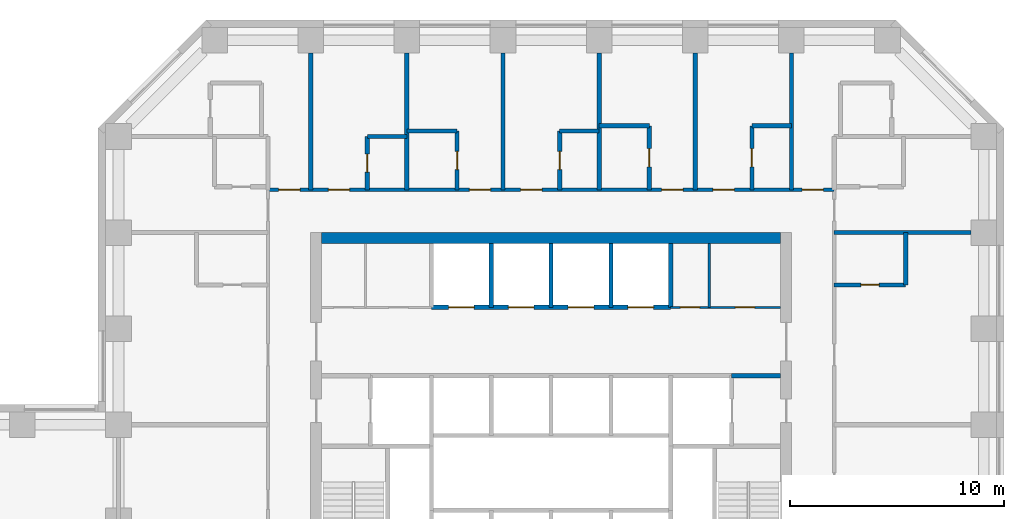
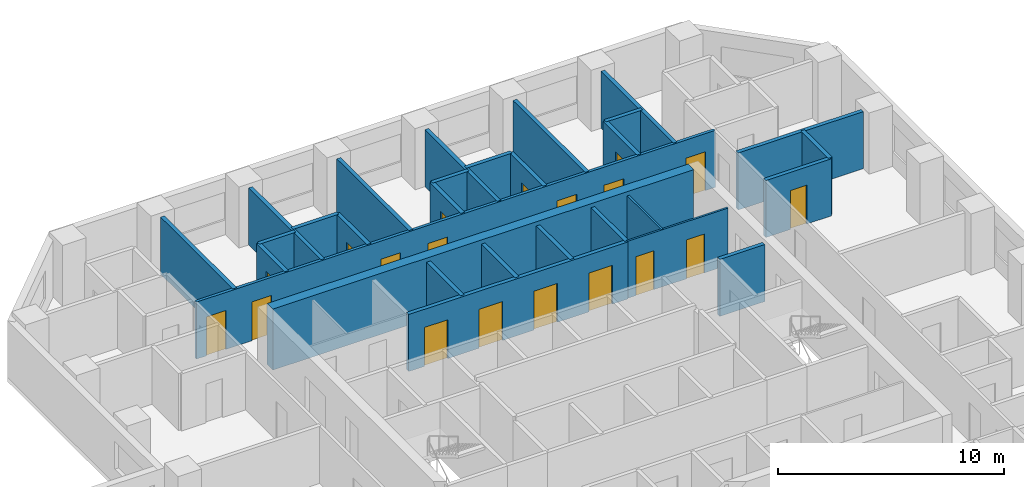
# One storey, part 9 of 12: 29 walls, 19 doors, 19 openings.
"""IFC4 building model written with IfcOpenShell, lengths in metres."""

from ifc_helpers import new_model, si_unit, direction, frame, frame_2d, origin, place, context, subcontext, project, spatial, rectangle, extrude, material, layer, layer_set, type_object, element, fill, save


model = new_model("IFC4")

# Units and contexts
model_context = context("Model", 3, precision=1e-05, world=origin(), true_north=direction((0.0, 1.0)))
body_context = subcontext(model_context, "Body", "Model", "MODEL_VIEW")
ifc_project = project(units=[si_unit("LENGTHUNIT", "METRE"), si_unit("AREAUNIT", "SQUARE_METRE"), si_unit("VOLUMEUNIT", "CUBIC_METRE"), si_unit("PLANEANGLEUNIT", "RADIAN"), si_unit("MASSUNIT", "GRAM", prefix="KILO")], contexts=[model_context])

# Site, building, storey
site_placement = place(None, origin())
site = spatial("IfcSite", under=ifc_project, at=site_placement, CompositionType="ELEMENT")
building_placement = place(site_placement, origin())
building = spatial("IfcBuilding", under=site, at=building_placement, Name="Quoin Convention Tower", CompositionType="ELEMENT")
storey_placement = place(building_placement, frame((0.0, 0.0, 33.0)))
storey = spatial("IfcBuildingStorey", under=building, at=storey_placement, Name="L07", CompositionType="ELEMENT", Elevation=33.0)

# Wall, openings, doors
ifc_material_1 = material(Name="Plasterboard")
ifc_layer_1 = layer(ifc_material_1, 0.012451171875, Name="Finish")
ifc_material_2 = material(Name="Steel stud framing", Category="steel")
ifc_layer_2 = layer(ifc_material_2, 0.074951171875, Name="Structure")
ifc_layer_3 = layer(ifc_material_1, 0.012451171875, Name="Finish")
ifc_layer_set_1 = layer_set([ifc_layer_1, ifc_layer_2, ifc_layer_3], Name="Steel stud framing")
wall_type_1 = type_object("IfcWallType", Name="Core partition wall", PredefinedType="PARTITIONING", material=ifc_layer_set_1)
wall_1_placement = place(storey_placement, frame((61.85009765625, 68.5, 0.0), z_axis=(0.0, 0.0, 1.0), x_axis=(1.0, 0.0, 0.0)))
wall_1 = element("IfcWall", 1, at=wall_1_placement, inside=storey, type_object=wall_type_1, Name="cr-C1-L07-h19000_16850", PredefinedType="PARTITIONING", context=body_context, shape_type="SweptSolid", body=[
    extrude(rectangle(XDim=5.14990234375, YDim=0.10009765625, at=frame_2d((2.574951171875, 0.0))), origin(), (0.0, 0.0, 1.0), 3.080078125),
])
opening_1_placement = place(wall_1_placement, frame((3.0263671875, 0.0, 0.0)))
opening_1 = element("IfcOpeningElement", 2, at=opening_1_placement, cuts=wall_1, Name="Opening DCV3-03", PredefinedType="OPENING", context=body_context, shape_type="SweptSolid", body=[
    extrude(rectangle(XDim=0.89990234375, YDim=2.10009765625, at=frame_2d((0.449951171875, 1.050048828125))), frame((0.0, 0.06005859375, 0.0), z_axis=(0.0, -1.0, 0.0), x_axis=(1.0, 0.0, 0.0)), (0.0, 0.0, 1.0), 0.1201171875),
])
opening_2_placement = place(wall_1_placement, frame((0.451171875, 0.0, 0.0)))
opening_2 = element("IfcOpeningElement", 3, at=opening_2_placement, cuts=wall_1, Name="Opening DCV3-01", PredefinedType="OPENING", context=body_context, shape_type="SweptSolid", body=[
    extrude(rectangle(XDim=0.89990234375, YDim=2.10009765625, at=frame_2d((0.449951171875, 1.050048828125))), frame((0.0, 0.06005859375, 0.0), z_axis=(0.0, -1.0, 0.0), x_axis=(1.0, 0.0, 0.0)), (0.0, 0.0, 1.0), 0.1201171875),
])
ifc_material_3 = material(Name="Steel door leaf", Category="steel")
door_type_1 = type_object("IfcDoorType", Name="Core room door 900 x 2100", OperationType="SINGLE_SWING_LEFT", PredefinedType="DOOR", material=ifc_material_3)
door_1_placement = place(opening_1_placement, origin())
door_1 = element("IfcDoor", 4, at=door_1_placement, inside=storey, type_object=door_type_1, Name="cd-C1-L07-CNE0-lobB-CD0707", OperationType="SINGLE_SWING_RIGHT", OverallHeight=2.10009765625, OverallWidth=0.89990234375, PredefinedType="DOOR", context=body_context, shape_type="SweptSolid", body=[
    extrude(rectangle(XDim=0.89990234375, YDim=2.10009765625, at=frame_2d((0.449951171875, 1.050048828125))), frame((0.0, 0.02490234375, 0.0), z_axis=(0.0, -1.0, 0.0), x_axis=(1.0, 0.0, 0.0)), (0.0, 0.0, 1.0), 0.050048828125),
])
fill(opening_1, door_1)
door_2_placement = place(opening_2_placement, origin())
door_2 = element("IfcDoor", 5, at=door_2_placement, inside=storey, type_object=door_type_1, Name="cd-C1-L07-CNE1-lobB-CD0708", OperationType="SINGLE_SWING_LEFT", OverallHeight=2.10009765625, OverallWidth=0.89990234375, PredefinedType="DOOR", context=body_context, shape_type="SweptSolid", body=[
    extrude(rectangle(XDim=0.89990234375, YDim=2.10009765625, at=frame_2d((0.449951171875, 1.050048828125))), frame((0.0, 0.02490234375, 0.0), z_axis=(0.0, -1.0, 0.0), x_axis=(1.0, 0.0, 0.0)), (0.0, 0.0, 1.0), 0.050048828125),
])
fill(opening_2, door_2)

# Walls
wall_2_placement = place(storey_placement, frame((63.652587890625, 68.5, 0.0), z_axis=(0.0, 0.0, 1.0), x_axis=(0.0, 1.0, 0.0)))
element("IfcWall", 6, at=wall_2_placement, inside=storey, type_object=wall_type_1, Name="cr-C1-L07-v18652_19000", PredefinedType="PARTITIONING", context=body_context, shape_type="SweptSolid", body=[
    extrude(rectangle(XDim=3.0, YDim=0.10009765625, at=frame_2d((1.5, 0.0))), origin(), (0.0, 0.0, 1.0), 3.080078125),
])
ifc_material_4 = material(Name="Concrete C50", Category="concrete")
ifc_layer_4 = layer(ifc_material_4, 0.199951171875)
ifc_layer_set_2 = layer_set([ifc_layer_4], Name="Concrete C50")
wall_type_2 = type_object("IfcWallType", Name="Core shaft wall", PredefinedType="SOLIDWALL", material=ifc_layer_set_2)
wall_3_placement = place(storey_placement, frame((64.699951171875, 65.300048828125, 0.0), z_axis=(0.0, 0.0, 1.0), x_axis=(1.0, 0.0, 0.0)))
element("IfcWall", 7, at=wall_3_placement, inside=storey, type_object=wall_type_2, Name="cr-C1-L07-h15800_19700", PredefinedType="SOLIDWALL", context=body_context, shape_type="SweptSolid", body=[
    extrude(rectangle(XDim=2.300048828125, YDim=0.199951171875, at=frame_2d((1.14990234375, 0.0))), origin(), (0.0, 0.0, 1.0), 3.080078125),
])

# Wall, openings, doors
wall_4_placement = place(storey_placement, frame((50.64990234375, 68.5, 0.0), z_axis=(0.0, 0.0, 1.0), x_axis=(1.0, 0.0, 0.0)))
wall_4 = element("IfcWall", 8, at=wall_4_placement, inside=storey, type_object=wall_type_2, Name="cr-C1-L07-h19000_5650", PredefinedType="SOLIDWALL", context=body_context, shape_type="SweptSolid", body=[
    extrude(rectangle(XDim=11.2001953125, YDim=0.199951171875, at=frame_2d((5.60009765625, 0.0))), origin(), (0.0, 0.0, 1.0), 3.080078125),
])
opening_3_placement = place(wall_4_placement, frame((0.800048828125, 0.0, 0.0)))
opening_3 = element("IfcOpeningElement", 9, at=opening_3_placement, cuts=wall_4, Name="Opening LDL5", PredefinedType="OPENING", context=body_context, shape_type="SweptSolid", body=[
    extrude(rectangle(XDim=1.199951171875, YDim=2.10009765625, at=frame_2d((0.60009765625, 1.050048828125))), frame((0.0, 0.10986328125, 0.0), z_axis=(0.0, -1.0, 0.0), x_axis=(1.0, 0.0, 0.0)), (0.0, 0.0, 1.0), 0.219970703125),
])
opening_4_placement = place(wall_4_placement, frame((3.60009765625, 0.0, 0.0)))
opening_4 = element("IfcOpeningElement", 10, at=opening_4_placement, cuts=wall_4, Name="Opening LDL6", PredefinedType="OPENING", context=body_context, shape_type="SweptSolid", body=[
    extrude(rectangle(XDim=1.199951171875, YDim=2.10009765625, at=frame_2d((0.60009765625, 1.050048828125))), frame((0.0, 0.10986328125, 0.0), z_axis=(0.0, -1.0, 0.0), x_axis=(1.0, 0.0, 0.0)), (0.0, 0.0, 1.0), 0.219970703125),
])
opening_5_placement = place(wall_4_placement, frame((6.39990234375, 0.0, 0.0)))
opening_5 = element("IfcOpeningElement", 11, at=opening_5_placement, cuts=wall_4, Name="Opening LDL7", PredefinedType="OPENING", context=body_context, shape_type="SweptSolid", body=[
    extrude(rectangle(XDim=1.199951171875, YDim=2.10009765625, at=frame_2d((0.60009765625, 1.050048828125))), frame((0.0, 0.10986328125, 0.0), z_axis=(0.0, -1.0, 0.0), x_axis=(1.0, 0.0, 0.0)), (0.0, 0.0, 1.0), 0.219970703125),
])
opening_6_placement = place(wall_4_placement, frame((9.199951171875, 0.0, 0.0)))
opening_6 = element("IfcOpeningElement", 12, at=opening_6_placement, cuts=wall_4, Name="Opening LDL8", PredefinedType="OPENING", context=body_context, shape_type="SweptSolid", body=[
    extrude(rectangle(XDim=1.199951171875, YDim=2.10009765625, at=frame_2d((0.60009765625, 1.050048828125))), frame((0.0, 0.10986328125, 0.0), z_axis=(0.0, -1.0, 0.0), x_axis=(1.0, 0.0, 0.0)), (0.0, 0.0, 1.0), 0.219970703125),
])
door_type_2 = type_object("IfcDoorType", Name="Lift landing door 1200 x 2100", OperationType="DOUBLE_DOOR_SLIDING", PredefinedType="DOOR", material=ifc_material_3)
door_3_placement = place(opening_3_placement, origin())
door_3 = element("IfcDoor", 13, at=door_3_placement, inside=storey, type_object=door_type_2, Name="cd-C1-L07-R40-lobB-LDL5", OperationType="DOUBLE_DOOR_SLIDING", OverallHeight=2.10009765625, OverallWidth=1.199951171875, PredefinedType="DOOR", context=body_context, shape_type="SweptSolid", body=[
    extrude(rectangle(XDim=1.199951171875, YDim=2.10009765625, at=frame_2d((0.60009765625, 1.050048828125))), frame((0.0, 0.02490234375, 0.0), z_axis=(0.0, -1.0, 0.0), x_axis=(1.0, 0.0, 0.0)), (0.0, 0.0, 1.0), 0.050048828125),
])
fill(opening_3, door_3)
door_4_placement = place(opening_4_placement, origin())
door_4 = element("IfcDoor", 14, at=door_4_placement, inside=storey, type_object=door_type_2, Name="cd-C1-L07-R41-lobB-LDL6", OperationType="DOUBLE_DOOR_SLIDING", OverallHeight=2.10009765625, OverallWidth=1.199951171875, PredefinedType="DOOR", context=body_context, shape_type="SweptSolid", body=[
    extrude(rectangle(XDim=1.199951171875, YDim=2.10009765625, at=frame_2d((0.60009765625, 1.050048828125))), frame((0.0, 0.02490234375, 0.0), z_axis=(0.0, -1.0, 0.0), x_axis=(1.0, 0.0, 0.0)), (0.0, 0.0, 1.0), 0.050048828125),
])
fill(opening_4, door_4)
door_5_placement = place(opening_5_placement, origin())
door_5 = element("IfcDoor", 15, at=door_5_placement, inside=storey, type_object=door_type_2, Name="cd-C1-L07-R42-lobB-LDL7", OperationType="DOUBLE_DOOR_SLIDING", OverallHeight=2.10009765625, OverallWidth=1.199951171875, PredefinedType="DOOR", context=body_context, shape_type="SweptSolid", body=[
    extrude(rectangle(XDim=1.199951171875, YDim=2.10009765625, at=frame_2d((0.60009765625, 1.050048828125))), frame((0.0, 0.02490234375, 0.0), z_axis=(0.0, -1.0, 0.0), x_axis=(1.0, 0.0, 0.0)), (0.0, 0.0, 1.0), 0.050048828125),
])
fill(opening_5, door_5)
door_6_placement = place(opening_6_placement, origin())
door_6 = element("IfcDoor", 16, at=door_6_placement, inside=storey, type_object=door_type_2, Name="cd-C1-L07-R43-lobB-LDL8", OperationType="DOUBLE_DOOR_SLIDING", OverallHeight=2.10009765625, OverallWidth=1.199951171875, PredefinedType="DOOR", context=body_context, shape_type="SweptSolid", body=[
    extrude(rectangle(XDim=1.199951171875, YDim=2.10009765625, at=frame_2d((0.60009765625, 1.050048828125))), frame((0.0, 0.02490234375, 0.0), z_axis=(0.0, -1.0, 0.0), x_axis=(1.0, 0.0, 0.0)), (0.0, 0.0, 1.0), 0.050048828125),
])
fill(opening_6, door_6)

# Walls
for number, where, z_axis, x_axis, name in (
    (17, (53.449951171875, 68.5, 0.0), (0.0, 0.0, 1.0), (0.0, 1.0, 0.0), "cr-C1-L07-v8450_19000"),
    (18, (56.25, 68.5, 0.0), (0.0, 0.0, 1.0), (0.0, 1.0, 0.0), "cr-C1-L07-v11250_19000"),
    (19, (59.050048828125, 68.5, 0.0), (0.0, 0.0, 1.0), (0.0, 1.0, 0.0), "cr-C1-L07-v14050_19000"),
    (20, (61.85009765625, 68.5, 0.0), (0.0, 0.0, 1.0), (0.0, 1.0, 0.0), "cr-C1-L07-v16850_19000"),
):
    element("IfcWall", number, at=place(storey_placement, frame(where, z_axis=z_axis, x_axis=x_axis)), inside=storey, type_object=wall_type_2, Name=name, PredefinedType="SOLIDWALL", context=body_context, shape_type="SweptSolid", body=[
        extrude(rectangle(XDim=3.0, YDim=0.199951171875, at=frame_2d((1.5, 0.0))), origin(), (0.0, 0.0, 1.0), 3.080078125),
    ])
ifc_material_5 = material(Name="Concrete C80", Category="concrete")
ifc_layer_5 = layer(ifc_material_5, 0.5)
ifc_layer_set_3 = layer_set([ifc_layer_5], Name="Concrete C80")
wall_type_3 = type_object("IfcWallType", Name="RC CORE WALL 500 C80", PredefinedType="SHEAR", material=ifc_layer_set_3)
wall_5_placement = place(storey_placement, frame((45.5, 71.75, 0.0), z_axis=(0.0, 0.0, 1.0), x_axis=(1.0, 0.0, 0.0)))
element("IfcWall", 21, at=wall_5_placement, inside=storey, type_object=wall_type_3, Name="cwl-C1-L07-N", PredefinedType="SHEAR", context=body_context, shape_type="SweptSolid", body=[
    extrude(rectangle(XDim=21.5, YDim=0.5, at=frame_2d((10.75, 0.0))), origin(), (0.0, 0.0, 1.0), 3.300048828125),
])

# Wall, opening, door
ifc_layer_6 = layer(ifc_material_4, 0.199951171875)
ifc_layer_set_4 = layer_set([ifc_layer_6], Name="Concrete C50")
wall_type_4 = type_object("IfcWallType", Name="RC party wall", PredefinedType="SOLIDWALL", material=ifc_layer_set_4)
wall_6_placement = place(storey_placement, frame((69.5, 69.550048828125, 0.0), z_axis=(0.0, 0.0, 1.0), x_axis=(1.0, 0.0, 0.0)))
wall_6 = element("IfcWall", 22, at=wall_6_placement, inside=storey, type_object=wall_type_4, Name="pw-L07-116", PredefinedType="SOLIDWALL", context=body_context, shape_type="SweptSolid", body=[
    extrude(rectangle(XDim=3.35009765625, YDim=0.199951171875, at=frame_2d((1.675048828125, 0.0))), origin(), (0.0, 0.0, 1.0), 3.080078125),
])
opening_7_placement = place(wall_6_placement, frame((1.25, 0.0, 0.0)))
opening_7 = element("IfcOpeningElement", 23, at=opening_7_placement, cuts=wall_6, Name="Opening DHOTEL-C-64", PredefinedType="OPENING", context=body_context, shape_type="SweptSolid", body=[
    extrude(rectangle(XDim=0.85009765625, YDim=2.10009765625, at=frame_2d((0.425048828125, 1.050048828125))), frame((0.0, 0.10986328125, 0.0), z_axis=(0.0, -1.0, 0.0), x_axis=(1.0, 0.0, 0.0)), (0.0, 0.0, 1.0), 0.219970703125),
])
door_type_3 = type_object("IfcDoorType", Name="Bathroom door", OperationType="SINGLE_SWING_LEFT", PredefinedType="DOOR", material=ifc_material_3)
door_7_placement = place(opening_7_placement, frame((0.85009765625, 0.0, 0.0), z_axis=(0.0, 0.0, 1.0), x_axis=(-1.0, 0.0, 0.0)))
door_7 = element("IfcDoor", 24, at=door_7_placement, inside=storey, type_object=door_type_3, Name="dr-L07-050", OperationType="SINGLE_SWING_RIGHT", OverallHeight=2.10009765625, OverallWidth=0.85009765625, PredefinedType="DOOR", context=body_context, shape_type="SweptSolid", body=[
    extrude(rectangle(XDim=0.85009765625, YDim=2.10009765625, at=frame_2d((0.425048828125, 1.050048828125))), frame((0.0, 0.02490234375, 0.0), z_axis=(0.0, -1.0, 0.0), x_axis=(1.0, 0.0, 0.0)), (0.0, 0.0, 1.0), 0.050048828125),
])
fill(opening_7, door_7)

# Walls
wall_7_placement = place(storey_placement, frame((72.85009765625, 69.550048828125, 0.0), z_axis=(0.0, 0.0, 1.0), x_axis=(0.0, 1.0, 0.0)))
element("IfcWall", 25, at=wall_7_placement, inside=storey, type_object=wall_type_4, Name="pw-L07-117", PredefinedType="SOLIDWALL", context=body_context, shape_type="SweptSolid", body=[
    extrude(rectangle(XDim=2.449951171875, YDim=0.199951171875, at=frame_2d((1.22509765625, 0.0))), origin(), (0.0, 0.0, 1.0), 3.080078125),
])
for number, where, z_axis, x_axis, name in (
    (26, (69.5, 72.0, 0.0), (0.0, 0.0, 1.0), (1.0, 0.0, 0.0), "pw-L07-119"),
    (27, (45.0, 74.0, 0.0), (0.0, 0.0, 1.0), (0.0, 1.0, 0.0), "pw-L07-121"),
):
    element("IfcWall", number, at=place(storey_placement, frame(where, z_axis=z_axis, x_axis=x_axis)), inside=storey, type_object=wall_type_4, Name=name, PredefinedType="SOLIDWALL", context=body_context, shape_type="SweptSolid", body=[
        extrude(rectangle(XDim=6.39990234375, YDim=0.199951171875, at=frame_2d((3.199951171875, 0.0))), origin(), (0.0, 0.0, 1.0), 3.080078125),
    ])

# Wall, opening, door
wall_8_placement = place(storey_placement, frame((47.64990234375, 74.0, 0.0), z_axis=(0.0, 0.0, 1.0), x_axis=(0.0, 1.0, 0.0)))
wall_8 = element("IfcWall", 28, at=wall_8_placement, inside=storey, type_object=wall_type_4, Name="pw-L07-122", PredefinedType="SOLIDWALL", context=body_context, shape_type="SweptSolid", body=[
    extrude(rectangle(XDim=2.5, YDim=0.199951171875, at=frame_2d((1.25, 0.0))), origin(), (0.0, 0.0, 1.0), 3.080078125),
])
opening_8_placement = place(wall_8_placement, frame((0.824951171875, 0.0, 0.0)))
opening_8 = element("IfcOpeningElement", 29, at=opening_8_placement, cuts=wall_8, Name="Opening DHOTEL-C-65", PredefinedType="OPENING", context=body_context, shape_type="SweptSolid", body=[
    extrude(rectangle(XDim=0.85009765625, YDim=2.10009765625, at=frame_2d((0.425048828125, 1.050048828125))), frame((0.0, 0.10986328125, 0.0), z_axis=(0.0, -1.0, 0.0), x_axis=(1.0, 0.0, 0.0)), (0.0, 0.0, 1.0), 0.219970703125),
])
door_8_placement = place(opening_8_placement, origin())
door_8 = element("IfcDoor", 30, at=door_8_placement, inside=storey, type_object=door_type_3, Name="dr-L07-038", OperationType="SINGLE_SWING_LEFT", OverallHeight=2.10009765625, OverallWidth=0.85009765625, PredefinedType="DOOR", context=body_context, shape_type="SweptSolid", body=[
    extrude(rectangle(XDim=0.85009765625, YDim=2.10009765625, at=frame_2d((0.425048828125, 1.050048828125))), frame((0.0, 0.02490234375, 0.0), z_axis=(0.0, -1.0, 0.0), x_axis=(1.0, 0.0, 0.0)), (0.0, 0.0, 1.0), 0.050048828125),
])
fill(opening_8, door_8)

# Wall
wall_9_placement = place(storey_placement, frame((49.5, 74.0, 0.0), z_axis=(0.0, 0.0, 1.0), x_axis=(0.0, 1.0, 0.0)))
element("IfcWall", 31, at=wall_9_placement, inside=storey, type_object=wall_type_4, Name="pw-L07-123", PredefinedType="SOLIDWALL", context=body_context, shape_type="SweptSolid", body=[
    extrude(rectangle(XDim=6.39990234375, YDim=0.199951171875, at=frame_2d((3.199951171875, 0.0))), origin(), (0.0, 0.0, 1.0), 3.080078125),
])

# Wall, opening, door
wall_10_placement = place(storey_placement, frame((51.85009765625, 74.0, 0.0), z_axis=(0.0, 0.0, 1.0), x_axis=(0.0, 1.0, 0.0)))
wall_10 = element("IfcWall", 32, at=wall_10_placement, inside=storey, type_object=wall_type_4, Name="pw-L07-124", PredefinedType="SOLIDWALL", context=body_context, shape_type="SweptSolid", body=[
    extrude(rectangle(XDim=2.75, YDim=0.199951171875, at=frame_2d((1.375, 0.0))), origin(), (0.0, 0.0, 1.0), 3.080078125),
])
opening_9_placement = place(wall_10_placement, frame((0.949951171875, 0.0, 0.0)))
opening_9 = element("IfcOpeningElement", 33, at=opening_9_placement, cuts=wall_10, Name="Opening DHOTEL-C-66", PredefinedType="OPENING", context=body_context, shape_type="SweptSolid", body=[
    extrude(rectangle(XDim=0.85009765625, YDim=2.10009765625, at=frame_2d((0.425048828125, 1.050048828125))), frame((0.0, 0.10986328125, 0.0), z_axis=(0.0, -1.0, 0.0), x_axis=(1.0, 0.0, 0.0)), (0.0, 0.0, 1.0), 0.219970703125),
])
door_9_placement = place(opening_9_placement, frame((0.85009765625, 0.0, 0.0), z_axis=(0.0, 0.0, 1.0), x_axis=(-1.0, 0.0, 0.0)))
door_9 = element("IfcDoor", 34, at=door_9_placement, inside=storey, type_object=door_type_3, Name="dr-L07-040", OperationType="SINGLE_SWING_RIGHT", OverallHeight=2.10009765625, OverallWidth=0.85009765625, PredefinedType="DOOR", context=body_context, shape_type="SweptSolid", body=[
    extrude(rectangle(XDim=0.85009765625, YDim=2.10009765625, at=frame_2d((0.425048828125, 1.050048828125))), frame((0.0, 0.02490234375, 0.0), z_axis=(0.0, -1.0, 0.0), x_axis=(1.0, 0.0, 0.0)), (0.0, 0.0, 1.0), 0.050048828125),
])
fill(opening_9, door_9)

# Wall
wall_11_placement = place(storey_placement, frame((54.0, 74.0, 0.0), z_axis=(0.0, 0.0, 1.0), x_axis=(0.0, 1.0, 0.0)))
element("IfcWall", 35, at=wall_11_placement, inside=storey, type_object=wall_type_4, Name="pw-L07-125", PredefinedType="SOLIDWALL", context=body_context, shape_type="SweptSolid", body=[
    extrude(rectangle(XDim=6.39990234375, YDim=0.199951171875, at=frame_2d((3.199951171875, 0.0))), origin(), (0.0, 0.0, 1.0), 3.080078125),
])

# Wall, opening, door
wall_12_placement = place(storey_placement, frame((56.64990234375, 74.0, 0.0), z_axis=(0.0, 0.0, 1.0), x_axis=(0.0, 1.0, 0.0)))
wall_12 = element("IfcWall", 36, at=wall_12_placement, inside=storey, type_object=wall_type_4, Name="pw-L07-126", PredefinedType="SOLIDWALL", context=body_context, shape_type="SweptSolid", body=[
    extrude(rectangle(XDim=2.75, YDim=0.199951171875, at=frame_2d((1.375, 0.0))), origin(), (0.0, 0.0, 1.0), 3.080078125),
])
opening_10_placement = place(wall_12_placement, frame((0.949951171875, 0.0, 0.0)))
opening_10 = element("IfcOpeningElement", 37, at=opening_10_placement, cuts=wall_12, Name="Opening DHOTEL-C-67", PredefinedType="OPENING", context=body_context, shape_type="SweptSolid", body=[
    extrude(rectangle(XDim=0.85009765625, YDim=2.10009765625, at=frame_2d((0.425048828125, 1.050048828125))), frame((0.0, 0.10986328125, 0.0), z_axis=(0.0, -1.0, 0.0), x_axis=(1.0, 0.0, 0.0)), (0.0, 0.0, 1.0), 0.219970703125),
])
door_10_placement = place(opening_10_placement, origin())
door_10 = element("IfcDoor", 38, at=door_10_placement, inside=storey, type_object=door_type_3, Name="dr-L07-042", OperationType="SINGLE_SWING_LEFT", OverallHeight=2.10009765625, OverallWidth=0.85009765625, PredefinedType="DOOR", context=body_context, shape_type="SweptSolid", body=[
    extrude(rectangle(XDim=0.85009765625, YDim=2.10009765625, at=frame_2d((0.425048828125, 1.050048828125))), frame((0.0, 0.02490234375, 0.0), z_axis=(0.0, -1.0, 0.0), x_axis=(1.0, 0.0, 0.0)), (0.0, 0.0, 1.0), 0.050048828125),
])
fill(opening_10, door_10)

# Wall
wall_13_placement = place(storey_placement, frame((58.5, 74.0, 0.0), z_axis=(0.0, 0.0, 1.0), x_axis=(0.0, 1.0, 0.0)))
element("IfcWall", 39, at=wall_13_placement, inside=storey, type_object=wall_type_4, Name="pw-L07-127", PredefinedType="SOLIDWALL", context=body_context, shape_type="SweptSolid", body=[
    extrude(rectangle(XDim=6.39990234375, YDim=0.199951171875, at=frame_2d((3.199951171875, 0.0))), origin(), (0.0, 0.0, 1.0), 3.080078125),
])

# Wall, opening, door
wall_14_placement = place(storey_placement, frame((60.85009765625, 74.0, 0.0), z_axis=(0.0, 0.0, 1.0), x_axis=(0.0, 1.0, 0.0)))
wall_14 = element("IfcWall", 40, at=wall_14_placement, inside=storey, type_object=wall_type_4, Name="pw-L07-128", PredefinedType="SOLIDWALL", context=body_context, shape_type="SweptSolid", body=[
    extrude(rectangle(XDim=3.0, YDim=0.199951171875, at=frame_2d((1.5, 0.0))), origin(), (0.0, 0.0, 1.0), 3.080078125),
])
opening_11_placement = place(wall_14_placement, frame((1.074951171875, 0.0, 0.0)))
opening_11 = element("IfcOpeningElement", 41, at=opening_11_placement, cuts=wall_14, Name="Opening DHOTEL-C-68", PredefinedType="OPENING", context=body_context, shape_type="SweptSolid", body=[
    extrude(rectangle(XDim=0.85009765625, YDim=2.10009765625, at=frame_2d((0.425048828125, 1.050048828125))), frame((0.0, 0.10986328125, 0.0), z_axis=(0.0, -1.0, 0.0), x_axis=(1.0, 0.0, 0.0)), (0.0, 0.0, 1.0), 0.219970703125),
])
door_11_placement = place(opening_11_placement, frame((0.85009765625, 0.0, 0.0), z_axis=(0.0, 0.0, 1.0), x_axis=(-1.0, 0.0, 0.0)))
door_11 = element("IfcDoor", 42, at=door_11_placement, inside=storey, type_object=door_type_3, Name="dr-L07-044", OperationType="SINGLE_SWING_RIGHT", OverallHeight=2.10009765625, OverallWidth=0.85009765625, PredefinedType="DOOR", context=body_context, shape_type="SweptSolid", body=[
    extrude(rectangle(XDim=0.85009765625, YDim=2.10009765625, at=frame_2d((0.425048828125, 1.050048828125))), frame((0.0, 0.02490234375, 0.0), z_axis=(0.0, -1.0, 0.0), x_axis=(1.0, 0.0, 0.0)), (0.0, 0.0, 1.0), 0.050048828125),
])
fill(opening_11, door_11)

# Wall
wall_15_placement = place(storey_placement, frame((63.0, 74.0, 0.0), z_axis=(0.0, 0.0, 1.0), x_axis=(0.0, 1.0, 0.0)))
element("IfcWall", 43, at=wall_15_placement, inside=storey, type_object=wall_type_4, Name="pw-L07-129", PredefinedType="SOLIDWALL", context=body_context, shape_type="SweptSolid", body=[
    extrude(rectangle(XDim=6.39990234375, YDim=0.199951171875, at=frame_2d((3.199951171875, 0.0))), origin(), (0.0, 0.0, 1.0), 3.080078125),
])

# Wall, opening, door
wall_16_placement = place(storey_placement, frame((65.64990234375, 74.0, 0.0), z_axis=(0.0, 0.0, 1.0), x_axis=(0.0, 1.0, 0.0)))
wall_16 = element("IfcWall", 44, at=wall_16_placement, inside=storey, type_object=wall_type_4, Name="pw-L07-130", PredefinedType="SOLIDWALL", context=body_context, shape_type="SweptSolid", body=[
    extrude(rectangle(XDim=3.0, YDim=0.199951171875, at=frame_2d((1.5, 0.0))), origin(), (0.0, 0.0, 1.0), 3.080078125),
])
opening_12_placement = place(wall_16_placement, frame((1.074951171875, 0.0, 0.0)))
opening_12 = element("IfcOpeningElement", 45, at=opening_12_placement, cuts=wall_16, Name="Opening DHOTEL-C-69", PredefinedType="OPENING", context=body_context, shape_type="SweptSolid", body=[
    extrude(rectangle(XDim=0.85009765625, YDim=2.10009765625, at=frame_2d((0.425048828125, 1.050048828125))), frame((0.0, 0.10986328125, 0.0), z_axis=(0.0, -1.0, 0.0), x_axis=(1.0, 0.0, 0.0)), (0.0, 0.0, 1.0), 0.219970703125),
])
door_12_placement = place(opening_12_placement, origin())
door_12 = element("IfcDoor", 46, at=door_12_placement, inside=storey, type_object=door_type_3, Name="dr-L07-046", OperationType="SINGLE_SWING_LEFT", OverallHeight=2.10009765625, OverallWidth=0.85009765625, PredefinedType="DOOR", context=body_context, shape_type="SweptSolid", body=[
    extrude(rectangle(XDim=0.85009765625, YDim=2.10009765625, at=frame_2d((0.425048828125, 1.050048828125))), frame((0.0, 0.02490234375, 0.0), z_axis=(0.0, -1.0, 0.0), x_axis=(1.0, 0.0, 0.0)), (0.0, 0.0, 1.0), 0.050048828125),
])
fill(opening_12, door_12)

# Walls
wall_17_placement = place(storey_placement, frame((67.5, 74.0, 0.0), z_axis=(0.0, 0.0, 1.0), x_axis=(0.0, 1.0, 0.0)))
element("IfcWall", 47, at=wall_17_placement, inside=storey, type_object=wall_type_4, Name="pw-L07-131", PredefinedType="SOLIDWALL", context=body_context, shape_type="SweptSolid", body=[
    extrude(rectangle(XDim=6.39990234375, YDim=0.199951171875, at=frame_2d((3.199951171875, 0.0))), origin(), (0.0, 0.0, 1.0), 3.080078125),
])
wall_18_placement = place(storey_placement, frame((47.64990234375, 76.5, 0.0), z_axis=(0.0, 0.0, 1.0), x_axis=(1.0, 0.0, 0.0)))
element("IfcWall", 48, at=wall_18_placement, inside=storey, type_object=wall_type_4, Name="pw-L07-140", PredefinedType="SOLIDWALL", context=body_context, shape_type="SweptSolid", body=[
    extrude(rectangle(XDim=1.85009765625, YDim=0.199951171875, at=frame_2d((0.925048828125, 0.0))), origin(), (0.0, 0.0, 1.0), 3.080078125),
])
wall_19_placement = place(storey_placement, frame((49.5, 76.75, 0.0), z_axis=(0.0, 0.0, 1.0), x_axis=(1.0, 0.0, 0.0)))
element("IfcWall", 49, at=wall_19_placement, inside=storey, type_object=wall_type_4, Name="pw-L07-144", PredefinedType="SOLIDWALL", context=body_context, shape_type="SweptSolid", body=[
    extrude(rectangle(XDim=2.35009765625, YDim=0.199951171875, at=frame_2d((1.175048828125, 0.0))), origin(), (0.0, 0.0, 1.0), 3.080078125),
])
wall_20_placement = place(storey_placement, frame((56.64990234375, 76.75, 0.0), z_axis=(0.0, 0.0, 1.0), x_axis=(1.0, 0.0, 0.0)))
element("IfcWall", 50, at=wall_20_placement, inside=storey, type_object=wall_type_4, Name="pw-L07-145", PredefinedType="SOLIDWALL", context=body_context, shape_type="SweptSolid", body=[
    extrude(rectangle(XDim=1.85009765625, YDim=0.199951171875, at=frame_2d((0.925048828125, 0.0))), origin(), (0.0, 0.0, 1.0), 3.080078125),
])
wall_21_placement = place(storey_placement, frame((58.5, 77.0, 0.0), z_axis=(0.0, 0.0, 1.0), x_axis=(1.0, 0.0, 0.0)))
element("IfcWall", 51, at=wall_21_placement, inside=storey, type_object=wall_type_4, Name="pw-L07-146", PredefinedType="SOLIDWALL", context=body_context, shape_type="SweptSolid", body=[
    extrude(rectangle(XDim=2.35009765625, YDim=0.199951171875, at=frame_2d((1.175048828125, 0.0))), origin(), (0.0, 0.0, 1.0), 3.080078125),
])
wall_22_placement = place(storey_placement, frame((65.64990234375, 77.0, 0.0), z_axis=(0.0, 0.0, 1.0), x_axis=(1.0, 0.0, 0.0)))
element("IfcWall", 52, at=wall_22_placement, inside=storey, type_object=wall_type_4, Name="pw-L07-147", PredefinedType="SOLIDWALL", context=body_context, shape_type="SweptSolid", body=[
    extrude(rectangle(XDim=1.85009765625, YDim=0.199951171875, at=frame_2d((0.925048828125, 0.0))), origin(), (0.0, 0.0, 1.0), 3.080078125),
])

# Wall, openings, doors
ifc_layer_7 = layer(ifc_material_1, 0.012451171875, Name="Finish")
ifc_layer_8 = layer(ifc_material_2, 0.125, Name="Structure")
ifc_layer_9 = layer(ifc_material_1, 0.012451171875, Name="Finish")
ifc_layer_set_5 = layer_set([ifc_layer_7, ifc_layer_8, ifc_layer_9], Name="Steel stud framing")
wall_type_5 = type_object("IfcWallType", Name="corridor partition", PredefinedType="PARTITIONING", material=ifc_layer_set_5)
wall_23_placement = place(storey_placement, frame((43.0, 74.0, 0.0), z_axis=(0.0, 0.0, 1.0), x_axis=(1.0, 0.0, 0.0)))
wall_23 = element("IfcWall", 53, at=wall_23_placement, inside=storey, type_object=wall_type_5, Name="pw-L07-034", PredefinedType="PARTITIONING", context=body_context, shape_type="SweptSolid", body=[
    extrude(rectangle(XDim=26.5, YDim=0.14990234375, at=frame_2d((13.25, 0.0))), origin(), (0.0, 0.0, 1.0), 3.080078125),
])
opening_13_placement = place(wall_23_placement, frame((2.824951171875, 0.0, 0.0)))
opening_13 = element("IfcOpeningElement", 54, at=opening_13_placement, cuts=wall_23, Name="Opening DHOTEL-C-36", PredefinedType="OPENING", context=body_context, shape_type="SweptSolid", body=[
    extrude(rectangle(XDim=1.0, YDim=2.10009765625, at=frame_2d((0.5, 1.050048828125))), frame((0.0, 0.0849609375, 0.0), z_axis=(0.0, -1.0, 0.0), x_axis=(1.0, 0.0, 0.0)), (0.0, 0.0, 1.0), 0.169921875),
])
opening_14_placement = place(wall_23_placement, frame((9.425048828125, 0.0, 0.0)))
opening_14 = element("IfcOpeningElement", 55, at=opening_14_placement, cuts=wall_23, Name="Opening DHOTEL-C-37", PredefinedType="OPENING", context=body_context, shape_type="SweptSolid", body=[
    extrude(rectangle(XDim=1.0, YDim=2.10009765625, at=frame_2d((0.5, 1.050048828125))), frame((0.0, 0.0849609375, 0.0), z_axis=(0.0, -1.0, 0.0), x_axis=(1.0, 0.0, 0.0)), (0.0, 0.0, 1.0), 0.169921875),
])
opening_15_placement = place(wall_23_placement, frame((11.824951171875, 0.0, 0.0)))
opening_15 = element("IfcOpeningElement", 56, at=opening_15_placement, cuts=wall_23, Name="Opening DHOTEL-C-38", PredefinedType="OPENING", context=body_context, shape_type="SweptSolid", body=[
    extrude(rectangle(XDim=1.0, YDim=2.10009765625, at=frame_2d((0.5, 1.050048828125))), frame((0.0, 0.0849609375, 0.0), z_axis=(0.0, -1.0, 0.0), x_axis=(1.0, 0.0, 0.0)), (0.0, 0.0, 1.0), 0.169921875),
])
opening_16_placement = place(wall_23_placement, frame((18.425048828125, 0.0, 0.0)))
opening_16 = element("IfcOpeningElement", 57, at=opening_16_placement, cuts=wall_23, Name="Opening DHOTEL-C-39", PredefinedType="OPENING", context=body_context, shape_type="SweptSolid", body=[
    extrude(rectangle(XDim=1.0, YDim=2.10009765625, at=frame_2d((0.5, 1.050048828125))), frame((0.0, 0.0849609375, 0.0), z_axis=(0.0, -1.0, 0.0), x_axis=(1.0, 0.0, 0.0)), (0.0, 0.0, 1.0), 0.169921875),
])
opening_17_placement = place(wall_23_placement, frame((20.824951171875, 0.0, 0.0)))
opening_17 = element("IfcOpeningElement", 58, at=opening_17_placement, cuts=wall_23, Name="Opening DHOTEL-C-40", PredefinedType="OPENING", context=body_context, shape_type="SweptSolid", body=[
    extrude(rectangle(XDim=1.0, YDim=2.10009765625, at=frame_2d((0.5, 1.050048828125))), frame((0.0, 0.0849609375, 0.0), z_axis=(0.0, -1.0, 0.0), x_axis=(1.0, 0.0, 0.0)), (0.0, 0.0, 1.0), 0.169921875),
])
opening_18_placement = place(wall_23_placement, frame((0.5, 0.0, 0.0)))
opening_18 = element("IfcOpeningElement", 59, at=opening_18_placement, cuts=wall_23, Name="Opening DHOTEL-C-35", PredefinedType="OPENING", context=body_context, shape_type="SweptSolid", body=[
    extrude(rectangle(XDim=1.0, YDim=2.10009765625, at=frame_2d((0.5, 1.050048828125))), frame((0.0, 0.0849609375, 0.0), z_axis=(0.0, -1.0, 0.0), x_axis=(1.0, 0.0, 0.0)), (0.0, 0.0, 1.0), 0.169921875),
])
opening_19_placement = place(wall_23_placement, frame((25.0, 0.0, 0.0)))
opening_19 = element("IfcOpeningElement", 60, at=opening_19_placement, cuts=wall_23, Name="Opening DHOTEL-C-41", PredefinedType="OPENING", context=body_context, shape_type="SweptSolid", body=[
    extrude(rectangle(XDim=1.0, YDim=2.10009765625, at=frame_2d((0.5, 1.050048828125))), frame((0.0, 0.0849609375, 0.0), z_axis=(0.0, -1.0, 0.0), x_axis=(1.0, 0.0, 0.0)), (0.0, 0.0, 1.0), 0.169921875),
])
door_type_4 = type_object("IfcDoorType", Name="Hotel room door", OperationType="SINGLE_SWING_LEFT", PredefinedType="DOOR", material=ifc_material_3)
door_13_placement = place(opening_13_placement, origin())
door_13 = element("IfcDoor", 61, at=door_13_placement, inside=storey, type_object=door_type_4, Name="dr-L07-037", OperationType="SINGLE_SWING_RIGHT", OverallHeight=2.10009765625, OverallWidth=1.0, PredefinedType="DOOR", context=body_context, shape_type="SweptSolid", body=[
    extrude(rectangle(XDim=1.0, YDim=2.10009765625, at=frame_2d((0.5, 1.050048828125))), frame((0.0, 0.02490234375, 0.0), z_axis=(0.0, -1.0, 0.0), x_axis=(1.0, 0.0, 0.0)), (0.0, 0.0, 1.0), 0.050048828125),
])
fill(opening_13, door_13)
door_14_placement = place(opening_14_placement, origin())
door_14 = element("IfcDoor", 62, at=door_14_placement, inside=storey, type_object=door_type_4, Name="dr-L07-039", OperationType="SINGLE_SWING_RIGHT", OverallHeight=2.10009765625, OverallWidth=1.0, PredefinedType="DOOR", context=body_context, shape_type="SweptSolid", body=[
    extrude(rectangle(XDim=1.0, YDim=2.10009765625, at=frame_2d((0.5, 1.050048828125))), frame((0.0, 0.02490234375, 0.0), z_axis=(0.0, -1.0, 0.0), x_axis=(1.0, 0.0, 0.0)), (0.0, 0.0, 1.0), 0.050048828125),
])
fill(opening_14, door_14)
door_15_placement = place(opening_15_placement, origin())
door_15 = element("IfcDoor", 63, at=door_15_placement, inside=storey, type_object=door_type_4, Name="dr-L07-041", OperationType="SINGLE_SWING_RIGHT", OverallHeight=2.10009765625, OverallWidth=1.0, PredefinedType="DOOR", context=body_context, shape_type="SweptSolid", body=[
    extrude(rectangle(XDim=1.0, YDim=2.10009765625, at=frame_2d((0.5, 1.050048828125))), frame((0.0, 0.02490234375, 0.0), z_axis=(0.0, -1.0, 0.0), x_axis=(1.0, 0.0, 0.0)), (0.0, 0.0, 1.0), 0.050048828125),
])
fill(opening_15, door_15)
door_16_placement = place(opening_16_placement, origin())
door_16 = element("IfcDoor", 64, at=door_16_placement, inside=storey, type_object=door_type_4, Name="dr-L07-043", OperationType="SINGLE_SWING_RIGHT", OverallHeight=2.10009765625, OverallWidth=1.0, PredefinedType="DOOR", context=body_context, shape_type="SweptSolid", body=[
    extrude(rectangle(XDim=1.0, YDim=2.10009765625, at=frame_2d((0.5, 1.050048828125))), frame((0.0, 0.02490234375, 0.0), z_axis=(0.0, -1.0, 0.0), x_axis=(1.0, 0.0, 0.0)), (0.0, 0.0, 1.0), 0.050048828125),
])
fill(opening_16, door_16)
door_17_placement = place(opening_17_placement, origin())
door_17 = element("IfcDoor", 65, at=door_17_placement, inside=storey, type_object=door_type_4, Name="dr-L07-045", OperationType="SINGLE_SWING_RIGHT", OverallHeight=2.10009765625, OverallWidth=1.0, PredefinedType="DOOR", context=body_context, shape_type="SweptSolid", body=[
    extrude(rectangle(XDim=1.0, YDim=2.10009765625, at=frame_2d((0.5, 1.050048828125))), frame((0.0, 0.02490234375, 0.0), z_axis=(0.0, -1.0, 0.0), x_axis=(1.0, 0.0, 0.0)), (0.0, 0.0, 1.0), 0.050048828125),
])
fill(opening_17, door_17)
door_18_placement = place(opening_18_placement, origin())
door_18 = element("IfcDoor", 66, at=door_18_placement, inside=storey, type_object=door_type_4, Name="dr-L07-065", OperationType="SINGLE_SWING_RIGHT", OverallHeight=2.10009765625, OverallWidth=1.0, PredefinedType="DOOR", context=body_context, shape_type="SweptSolid", body=[
    extrude(rectangle(XDim=1.0, YDim=2.10009765625, at=frame_2d((0.5, 1.050048828125))), frame((0.0, 0.02490234375, 0.0), z_axis=(0.0, -1.0, 0.0), x_axis=(1.0, 0.0, 0.0)), (0.0, 0.0, 1.0), 0.050048828125),
])
fill(opening_18, door_18)
door_19_placement = place(opening_19_placement, origin())
door_19 = element("IfcDoor", 67, at=door_19_placement, inside=storey, type_object=door_type_4, Name="dr-L07-067", OperationType="SINGLE_SWING_RIGHT", OverallHeight=2.10009765625, OverallWidth=1.0, PredefinedType="DOOR", context=body_context, shape_type="SweptSolid", body=[
    extrude(rectangle(XDim=1.0, YDim=2.10009765625, at=frame_2d((0.5, 1.050048828125))), frame((0.0, 0.02490234375, 0.0), z_axis=(0.0, -1.0, 0.0), x_axis=(1.0, 0.0, 0.0)), (0.0, 0.0, 1.0), 0.050048828125),
])
fill(opening_19, door_19)

save(model, "model.ifc")
